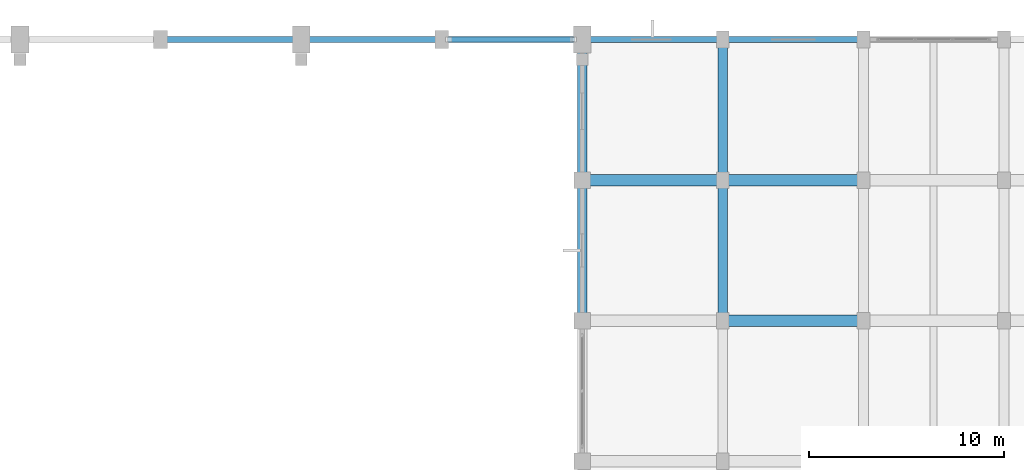
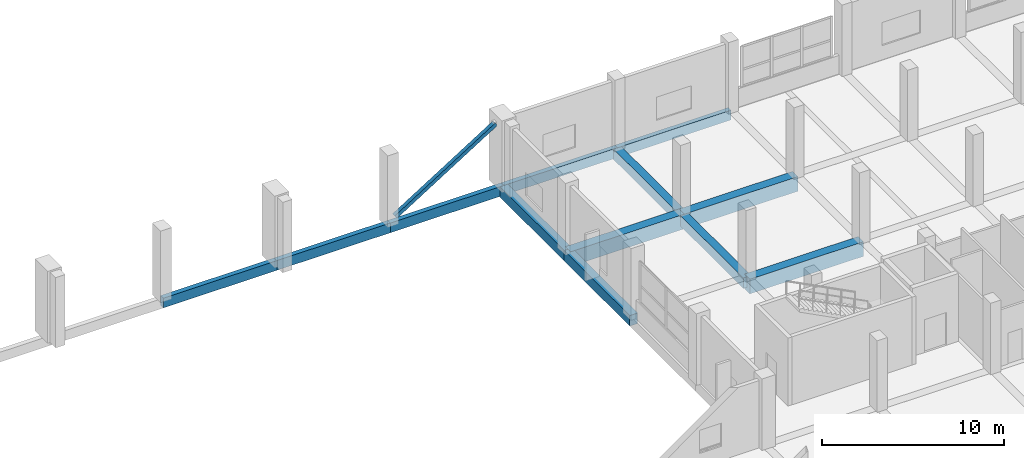
# One storey, part 103 of 181: 12 beams, 1 member.
"""IFC4 building model written with IfcOpenShell, lengths in metres."""

import ifcopenshell
import ifcopenshell.guid

model = None  # the IFC model being written
_history = None  # IfcOwnerHistory: only IFC2X3 demands one
_inside = {}  # id of a spatial element -> (the spatial element, [elements in it])
_under = {}  # id of a project, library or spatial element -> (it, [spatial elements below it])
_declared = {}  # id of a project -> (the project, [libraries it declares])
_typed = {}  # id of a type object -> (the type object, [elements of that type])
_made_of = {}  # id of a material, layer set ... -> (it, [elements and type objects made of it])


def new_model(schema):
    """Start an empty IFC model of exactly this schema.

    Asked for "IFC4X3", IfcOpenShell would pick the latest addendum, in which some entities
    have other attributes; the version numbers below select the first issue.
    IFC2X3 requires an IfcOwnerHistory on every rooted entity: one is made here for all.
    """
    global model, _history
    if schema == "IFC4X3":
        model = ifcopenshell.file(schema_version=(4, 3, 0, 0))
    else:
        model = ifcopenshell.file(schema=schema)
    _inside.clear()
    _under.clear()
    _declared.clear()
    _typed.clear()
    _made_of.clear()
    _history = None
    if model.schema == "IFC2X3":
        org = make("IfcOrganization", Name="unknown")
        user = make(
            "IfcPersonAndOrganization",
            ThePerson=make("IfcPerson", FamilyName="unknown"),
            TheOrganization=org,
        )
        app = make(
            "IfcApplication",
            ApplicationDeveloper=org,
            Version="unknown",
            ApplicationFullName="unknown",
            ApplicationIdentifier="unknown",
        )
        _history = make(
            "IfcOwnerHistory",
            OwningUser=user,
            OwningApplication=app,
            ChangeAction="ADDED",
            CreationDate=0,
        )
    return model


def make(cls, **values):
    """One entity of the class cls with the attributes given. An attribute that is None is left unset."""
    return model.create_entity(
        cls, **{name: value for name, value in values.items() if value is not None}
    )


def rooted(cls, **values):
    """An entity with a GlobalId (a new one), such as an element, a storey or a relation."""
    return make(cls, GlobalId=ifcopenshell.guid.new(), OwnerHistory=_history, **values)


def si_unit(unit_type, name, prefix=None):
    """IfcSIUnit, for example si_unit("LENGTHUNIT", "METRE", prefix="MILLI")."""
    return make("IfcSIUnit", UnitType=unit_type, Prefix=prefix, Name=name)


def assignment(units):
    """IfcUnitAssignment: the units of a project."""
    return None if units is None else make("IfcUnitAssignment", Units=units)


def point(xyz):
    """IfcCartesianPoint."""
    return None if xyz is None else make("IfcCartesianPoint", Coordinates=xyz)


def direction(xyz):
    """IfcDirection."""
    return None if xyz is None else make("IfcDirection", DirectionRatios=xyz)


def frame(location, z_axis=None, x_axis=None):
    """IfcAxis2Placement3D, a coordinate frame: its origin and axes. An axis left out is left unset."""
    return make(
        "IfcAxis2Placement3D",
        Location=point(location),
        Axis=direction(z_axis),
        RefDirection=direction(x_axis),
    )


def frame_2d(location, x_axis=None):
    """IfcAxis2Placement2D, a coordinate frame in the plane: its origin and x axis."""
    return make(
        "IfcAxis2Placement2D", Location=point(location), RefDirection=direction(x_axis)
    )


def origin():
    """The frame at (0, 0, 0) with its axes left unset."""
    return frame((0.0, 0.0, 0.0))


def origin_2d():
    """The frame at (0, 0) in the plane with its x axis left unset."""
    return frame_2d((0.0, 0.0))


def place(relative_to, where):
    """IfcLocalPlacement: puts the frame where relative to a parent placement (None: the world)."""
    return make(
        "IfcLocalPlacement", PlacementRelTo=relative_to, RelativePlacement=where
    )


def context(
    kind, dimensions, precision=None, world=None, true_north=None, identifier=None
):
    """IfcGeometricRepresentationContext, for example the 3D "Model" context."""
    return make(
        "IfcGeometricRepresentationContext",
        ContextIdentifier=identifier,
        ContextType=kind,
        CoordinateSpaceDimension=dimensions,
        Precision=precision,
        WorldCoordinateSystem=world,
        TrueNorth=true_north,
    )


def subcontext(parent, identifier, kind, view, scale=None):
    """IfcGeometricRepresentationSubContext, for example "Body" below "Model"."""
    return make(
        "IfcGeometricRepresentationSubContext",
        ContextIdentifier=identifier,
        ContextType=kind,
        ParentContext=parent,
        TargetScale=scale,
        TargetView=view,
    )


def project(units=None, contexts=None):
    """IfcProject with its units and contexts."""
    return rooted(
        "IfcProject",
        Name="project",
        RepresentationContexts=contexts,
        UnitsInContext=assignment(units),
    )


def spatial(cls, under=None, at=None, **own):
    """A site, building, storey or space (cls), placed at a placement, below another one or the project."""
    s = rooted(cls, ObjectPlacement=at, **own)
    if under is not None:
        _under.setdefault(under.id(), (under, []))[1].append(s)
    return s


def profile(cls, at=None, kind="AREA", **sizes):
    """A parametric profile (cls). Its sizes go by their IFC names, for example OverallWidth=200.0."""
    return make(cls, ProfileType=kind, Position=at, **sizes)


def rectangle(**sizes):
    """IfcRectangleProfileDef."""
    return profile("IfcRectangleProfileDef", **sizes)


def hollow_rectangle(**sizes):
    """IfcRectangleHollowProfileDef."""
    return profile("IfcRectangleHollowProfileDef", **sizes)


def extrude(swept, where, along, depth):
    """IfcExtrudedAreaSolid: the profile swept, set in the frame where, extruded along a direction by depth."""
    return make(
        "IfcExtrudedAreaSolid",
        SweptArea=swept,
        Position=where,
        ExtrudedDirection=direction(along),
        Depth=depth,
    )


def shape(context_of_items, identifier, shape_type, items):
    """IfcShapeRepresentation: the items that make up one representation, for example the "Body"."""
    return make(
        "IfcShapeRepresentation",
        ContextOfItems=context_of_items,
        RepresentationIdentifier=identifier,
        RepresentationType=shape_type,
        Items=items,
    )


def material(Name=None, Category=None):
    """IfcMaterial."""
    return make("IfcMaterial", Name=Name, Category=Category)


def material_profile(
    of_material, cross_section, Name=None, Category=None, Priority=None
):
    """IfcMaterialProfile: a cross section and its material."""
    return make(
        "IfcMaterialProfile",
        Name=Name,
        Material=of_material,
        Profile=cross_section,
        Priority=Priority,
        Category=Category,
    )


def profile_set(profiles, Name=None, composite=None):
    """IfcMaterialProfileSet."""
    return make(
        "IfcMaterialProfileSet",
        Name=Name,
        MaterialProfiles=profiles,
        CompositeProfile=composite,
    )


def made_of(thing, what):
    """Note that an element or type object is made of a material, layer set ...; save() writes the relation."""
    if what is not None:
        _made_of.setdefault(what.id(), (what, []))[1].append(thing)
    return thing


def type_object(cls, material=None, **own):
    """A type object (cls), such as IfcWallType, which elements share."""
    return made_of(rooted(cls, **own), material)


def element(
    cls,
    number,
    at=None,
    inside=None,
    cuts=None,
    type_object=None,
    material=None,
    context=None,
    identifier="Body",
    shape_type=None,
    held_by="IfcProductDefinitionShape",
    body=None,
    shapes=None,
    **own,
):
    """One element of the class cls, such as IfcWall. Its Tag is "e" and its number.

    at: its placement. inside: the storey or other place that contains it. cuts: it is an
    opening in that element (IfcRelVoidsElement). A single representation is given by context,
    identifier, shape_type and body (its items); several are given by shapes. held_by: the class
    of the entity that holds the representations. save() writes the other relations.
    """
    e = rooted(cls, Tag="e%d" % number, ObjectPlacement=at, **own)
    if body is not None:
        shapes = [shape(context, identifier, shape_type, body)]
    if shapes is not None:
        e.Representation = make(held_by, Representations=shapes)
    if inside is not None:
        _inside.setdefault(inside.id(), (inside, []))[1].append(e)
    if cuts is not None:
        rooted(
            "IfcRelVoidsElement", RelatingBuildingElement=cuts, RelatedOpeningElement=e
        )
    if type_object is not None:
        _typed.setdefault(type_object.id(), (type_object, []))[1].append(e)
    return made_of(e, material)


def aggregate(whole, parts):
    """IfcRelAggregates: a whole, such as a stair, and the parts it consists of."""
    return rooted("IfcRelAggregates", RelatingObject=whole, RelatedObjects=parts)


def save(model, path):
    """Write the relations noted so far, then the file.

    IfcRelAggregates (storeys below a building ...), IfcRelContainedInSpatialStructure (elements
    in a storey), IfcRelDefinesByType, IfcRelAssociatesMaterial and IfcRelDeclares: one each for
    every whole, place, type object, material and project.
    """
    for whole, parts in _under.values():
        aggregate(whole, parts)
    for where, things in _inside.values():
        rooted(
            "IfcRelContainedInSpatialStructure",
            RelatedElements=things,
            RelatingStructure=where,
        )
    for kind, things in _typed.values():
        rooted("IfcRelDefinesByType", RelatedObjects=things, RelatingType=kind)
    for what, things in _made_of.values():
        rooted("IfcRelAssociatesMaterial", RelatedObjects=things, RelatingMaterial=what)
    for by, libraries in _declared.values():
        rooted("IfcRelDeclares", RelatingContext=by, RelatedDefinitions=libraries)
    model.write(path)


model = new_model("IFC4")

# Units and contexts
model_context = context("Model", 3, precision=1e-05, world=origin(), true_north=direction((0.0, 1.0)))
body_context = subcontext(model_context, "Body", "Model", "MODEL_VIEW")
ifc_project = project(units=[si_unit("LENGTHUNIT", "METRE"), si_unit("AREAUNIT", "SQUARE_METRE"), si_unit("VOLUMEUNIT", "CUBIC_METRE"), si_unit("PLANEANGLEUNIT", "RADIAN"), si_unit("MASSUNIT", "GRAM", prefix="KILO")], contexts=[model_context])

# Site, building, storey
site_placement = place(None, origin())
site = spatial("IfcSite", under=ifc_project, at=site_placement, CompositionType="ELEMENT")
building_placement = place(site_placement, origin())
building = spatial("IfcBuilding", under=site, at=building_placement, Name="Seraya Terrace Polytechnic", CompositionType="ELEMENT")
storey_placement = place(building_placement, frame((0.0, 0.0, 4.800048828125)))
storey = spatial("IfcBuildingStorey", under=building, at=storey_placement, Name="L01", CompositionType="ELEMENT", Elevation=4.800048828125)

# Beams
ifc_material_1 = material(Name="Concrete C40/50", Category="concrete")
ifc_material_profile_1 = material_profile(ifc_material_1, rectangle(XDim=0.580078125, YDim=0.97998046875, at=origin_2d()), Name="RC 580x980")
ifc_profile_set_1 = profile_set([ifc_material_profile_1], Name="Concrete C40/50")
beam_type_1 = type_object("IfcBeamType", Name="BM-02", PredefinedType="BEAM", material=ifc_profile_set_1)
beam_1_placement = place(storey_placement, frame((122.39990234375, 100.800048828125, -0.489990234375), z_axis=(1.0, 0.0, 0.0), x_axis=(0.0, 1.0, 0.0)))
element("IfcBeam", 1, at=beam_1_placement, inside=storey, type_object=beam_type_1, Name="Beam BM-02 L01 X (122.4..129.6, 100.8)", PredefinedType="BEAM", context=body_context, shape_type="SweptSolid", body=[
    extrude(rectangle(XDim=0.580078125, YDim=0.97998046875, at=origin_2d()), origin(), (0.0, 0.0, 1.0), 7.2001953125),
])
beam_2_placement = place(storey_placement, frame((115.199951171875, 108.0, -0.489990234375), z_axis=(1.0, 0.0, 0.0), x_axis=(0.0, 1.0, 0.0)))
element("IfcBeam", 2, at=beam_2_placement, inside=storey, type_object=beam_type_1, Name="Beam BM-02 L01 X (115.2..122.4, 108.0)", PredefinedType="BEAM", context=body_context, shape_type="SweptSolid", body=[
    extrude(rectangle(XDim=0.580078125, YDim=0.97998046875, at=origin_2d()), origin(), (0.0, 0.0, 1.0), 7.199951171875),
])
beam_3_placement = place(storey_placement, frame((122.39990234375, 108.0, -0.489990234375), z_axis=(1.0, 0.0, 0.0), x_axis=(0.0, 1.0, 0.0)))
element("IfcBeam", 3, at=beam_3_placement, inside=storey, type_object=beam_type_1, Name="Beam BM-02 L01 X (122.4..129.6, 108.0)", PredefinedType="BEAM", context=body_context, shape_type="SweptSolid", body=[
    extrude(rectangle(XDim=0.580078125, YDim=0.97998046875, at=origin_2d()), origin(), (0.0, 0.0, 1.0), 7.2001953125),
])
ifc_material_profile_2 = material_profile(ifc_material_1, rectangle(XDim=0.5, YDim=0.699951171875, at=origin_2d()), Name="RC 500x700")
ifc_profile_set_2 = profile_set([ifc_material_profile_2], Name="Concrete C40/50")
beam_type_2 = type_object("IfcBeamType", Name="BM-07", PredefinedType="BEAM", material=ifc_profile_set_2)
for number, where, z_axis, x_axis, name in (
    (4, (115.199951171875, 100.800048828125, -0.35009765625), (0.0, 1.0, 0.0), (-1.0, 0.0, 0.0), "Beam BM-07 L01 Y (115.2, 100.8..108.0)"),
    (5, (115.199951171875, 108.0, -0.35009765625), (0.0, 1.0, 0.0), (-1.0, 0.0, 0.0), "Beam BM-07 L01 Y (115.2, 108.0..115.2)"),
    (6, (122.39990234375, 100.800048828125, -0.35009765625), (0.0, 1.0, 0.0), (-1.0, 0.0, 0.0), "Beam BM-07 L01 Y (122.4, 100.8..108.0)"),
    (7, (122.39990234375, 108.0, -0.35009765625), (0.0, 1.0, 0.0), (-1.0, 0.0, 0.0), "Beam BM-07 L01 Y (122.4, 108.0..115.2)"),
):
    element("IfcBeam", number, at=place(storey_placement, frame(where, z_axis=z_axis, x_axis=x_axis)), inside=storey, type_object=beam_type_2, Name=name, PredefinedType="BEAM", context=body_context, shape_type="SweptSolid", body=[
        extrude(rectangle(XDim=0.5, YDim=0.699951171875, at=origin_2d()), origin(), (0.0, 0.0, 1.0), 7.199951171875),
    ])

# Member
ifc_material_2 = material(Name="Steel S355J2", Category="steel")
ifc_material_profile_3 = material_profile(ifc_material_2, hollow_rectangle(XDim=0.25, YDim=0.25, WallThickness=0.012451171875, at=origin_2d()), Name="SHS 250x250x12.5")
ifc_profile_set_3 = profile_set([ifc_material_profile_3], Name="Steel S355J2")
member_type = type_object("IfcMemberType", Name="BR-04", PredefinedType="BRACE", material=ifc_profile_set_3)
member_placement = place(storey_placement, frame((108.364990234375, 115.199951171875, 0.25), z_axis=(0.846880470544, 0.0, 0.531783291024), x_axis=(0.0, 1.0, 0.0)))
element("IfcMember", 8, at=member_placement, inside=storey, type_object=member_type, Name="Solid-bay vertical wind brace L01 NE", PredefinedType="BRACE", context=body_context, shape_type="SweptSolid", body=[
    extrude(hollow_rectangle(XDim=0.25, YDim=0.25, WallThickness=0.012451171875, at=origin_2d()), origin(), (0.0, 0.0, 1.0), 7.52197265625),
])

# Beams
ifc_material_profile_4 = material_profile(ifc_material_1, rectangle(XDim=0.300048828125, YDim=0.64990234375, at=origin_2d()), Name="RC 300x650")
ifc_profile_set_4 = profile_set([ifc_material_profile_4], Name="Concrete C40/50")
beam_type_3 = type_object("IfcBeamType", Name="SP-01", PredefinedType="SPANDREL", material=ifc_profile_set_4)
for number, where, z_axis, x_axis, name in (
    (9, (93.60009765625, 115.199951171875, -0.324951171875), (1.0, 0.0, 0.0), (0.0, 1.0, 0.0), "Beam SP-01 L01 X (93.6..100.8, 115.2)"),
    (10, (100.800048828125, 115.199951171875, -0.324951171875), (1.0, 0.0, 0.0), (0.0, 1.0, 0.0), "Beam SP-01 L01 X (100.8..108.0, 115.2)"),
    (11, (108.0, 115.199951171875, -0.324951171875), (1.0, 0.0, 0.0), (0.0, 1.0, 0.0), "Beam SP-01 L01 X (108.0..115.2, 115.2)"),
    (12, (115.199951171875, 115.199951171875, -0.324951171875), (1.0, 0.0, 0.0), (0.0, 1.0, 0.0), "Beam SP-01 L01 X (115.2..122.4, 115.2)"),
):
    element("IfcBeam", number, at=place(storey_placement, frame(where, z_axis=z_axis, x_axis=x_axis)), inside=storey, type_object=beam_type_3, Name=name, PredefinedType="SPANDREL", context=body_context, shape_type="SweptSolid", body=[
        extrude(rectangle(XDim=0.300048828125, YDim=0.64990234375, at=origin_2d()), origin(), (0.0, 0.0, 1.0), 7.199951171875),
    ])
beam_4_placement = place(storey_placement, frame((122.39990234375, 115.199951171875, -0.324951171875), z_axis=(1.0, 0.0, 0.0), x_axis=(0.0, 1.0, 0.0)))
element("IfcBeam", 13, at=beam_4_placement, inside=storey, type_object=beam_type_3, Name="Beam SP-01 L01 X (122.4..129.6, 115.2)", PredefinedType="SPANDREL", context=body_context, shape_type="SweptSolid", body=[
    extrude(rectangle(XDim=0.300048828125, YDim=0.64990234375, at=origin_2d()), origin(), (0.0, 0.0, 1.0), 7.2001953125),
])

save(model, "model.ifc")
